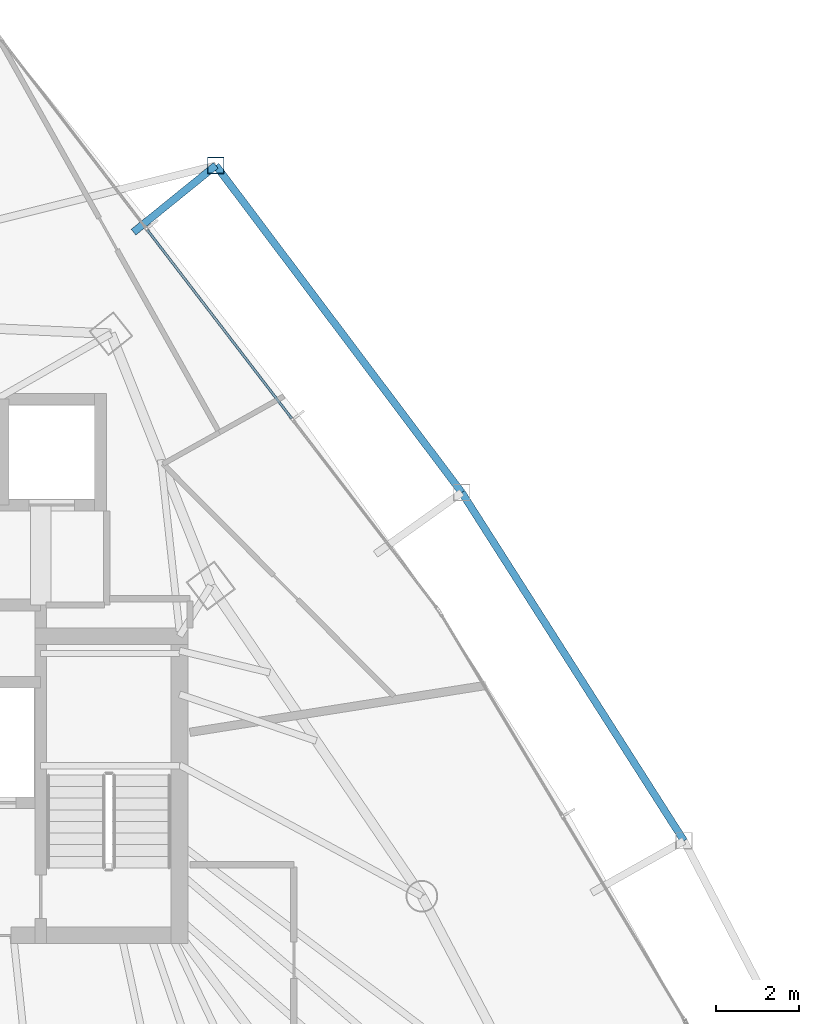
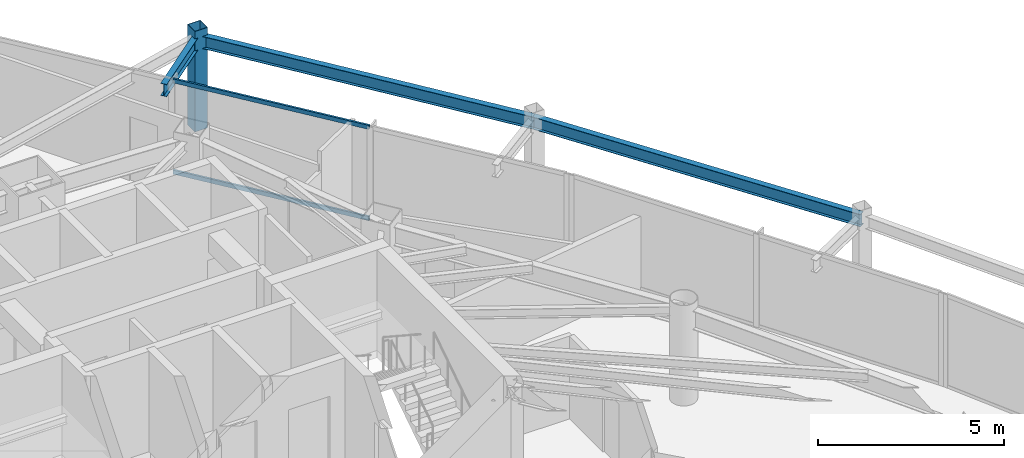
# One storey, part 26 of 33: 3 beams, 3 members, 1 element without a shape of its own.
"""IFC4 building model written with IfcOpenShell, lengths in metres."""

from ifc_helpers import new_model, si_unit, direction, frame, origin, origin_2d, place, context, subcontext, project, spatial, hollow_rectangle, i_section, extrude, material, layer, layer_set, material_profile, profile_set, type_object, element, aggregate, save


model = new_model("IFC4")

# Units and contexts
model_context = context("Model", 3, precision=1e-05, world=origin(), true_north=direction((0.0, 1.0)))
body_context = subcontext(model_context, "Body", "Model", "MODEL_VIEW")
ifc_project = project(units=[si_unit("LENGTHUNIT", "METRE"), si_unit("AREAUNIT", "SQUARE_METRE"), si_unit("VOLUMEUNIT", "CUBIC_METRE"), si_unit("PLANEANGLEUNIT", "RADIAN"), si_unit("MASSUNIT", "GRAM", prefix="KILO")], contexts=[model_context])

# Site, building, storey
site_placement = place(None, origin())
site = spatial("IfcSite", under=ifc_project, at=site_placement, CompositionType="ELEMENT")
building_placement = place(site_placement, origin())
building = spatial("IfcBuilding", under=site, at=building_placement, Name="Orvanel Arch Residences", CompositionType="ELEMENT")
storey_placement = place(building_placement, frame((0.0, 0.0, 116.60009765625)))
storey = spatial("IfcBuildingStorey", under=building, at=storey_placement, Name="L32", CompositionType="ELEMENT", Elevation=116.60009765625)

# Beams
ifc_material_1 = material(Name="Structural steel AS/NZS 3679.1 Grade 300 (300 MPa)", Category="steel")
ifc_material_profile_1 = material_profile(ifc_material_1, i_section(OverallWidth=0.177978515625, OverallDepth=0.406005859375, WebThickness=0.0078125, FlangeThickness=0.0126953125, at=origin_2d()), Name="410UB59.7")
ifc_profile_set_1 = profile_set([ifc_material_profile_1], Name="Structural steel AS/NZS 3679.1 Grade 300 (300 MPa)")
beam_type = type_object("IfcBeamType", Name="OB-410UB-EXT", PredefinedType="SPANDREL", material=ifc_profile_set_1)
beam_1_placement = place(storey_placement, frame((51.739990234375, 28.972900390625, 2.85693359375), z_axis=(-0.53782201313, 0.843058409716, 0.0), x_axis=(-0.843058409716, -0.53782201313, 0.0)))
element("IfcBeam", 1, at=beam_1_placement, inside=storey, type_object=beam_type, Name="L32 Outer Perimeter Floor Ring Beam 10", PredefinedType="SPANDREL", context=body_context, shape_type="SweptSolid", body=[
    extrude(i_section(OverallWidth=0.177978515625, OverallDepth=0.406005859375, WebThickness=0.0078125, FlangeThickness=0.0126953125, at=origin_2d()), origin(), (0.0, 0.0, 1.0), 9.943603515625),
])
beam_2_placement = place(storey_placement, frame((46.39208984375, 37.35595703125, 2.85693359375), z_axis=(-0.600999213408, 0.799249614002, 0.0), x_axis=(-0.799249614002, -0.600999213408, 0.0)))
element("IfcBeam", 2, at=beam_2_placement, inside=storey, type_object=beam_type, Name="L32 Outer Perimeter Floor Ring Beam 11", PredefinedType="SPANDREL", context=body_context, shape_type="SweptSolid", body=[
    extrude(i_section(OverallWidth=0.177978515625, OverallDepth=0.406005859375, WebThickness=0.0078125, FlangeThickness=0.0126953125, at=origin_2d()), origin(), (0.0, 0.0, 1.0), 9.846923828125),
])
beam_3_placement = place(storey_placement, frame((38.492919921875, 43.62109375, 2.85693359375), z_axis=(0.777024069571, 0.629470885195, 0.0), x_axis=(-0.629470885195, 0.777024069571, 0.0)))
element("IfcBeam", 3, at=beam_3_placement, inside=storey, type_object=beam_type, Name="L32 Outer Frame Radial Tie Beam 12", PredefinedType="SPANDREL", context=body_context, shape_type="SweptSolid", body=[
    extrude(i_section(OverallWidth=0.177978515625, OverallDepth=0.406005859375, WebThickness=0.0078125, FlangeThickness=0.0126953125, at=origin_2d()), origin(), (0.0, 0.0, 1.0), 2.5498046875),
])

# Member
ifc_material_2 = material(Name="Structural steel AS/NZS 1163 C450L0 (Grade 450)", Category="steel")
ifc_material_profile_2 = material_profile(ifc_material_2, hollow_rectangle(XDim=0.39990234375, YDim=0.39990234375, WallThickness=0.01611328125, at=origin_2d()), Name="SHS400x400x16")
ifc_profile_set_2 = profile_set([ifc_material_profile_2], Name="Structural steel AS/NZS 1163 C450L0 (Grade 450)")
member_type_1 = type_object("IfcMemberType", Name="ST-400SHS-EXT", PredefinedType="STRUT", material=ifc_profile_set_2)
member_1_placement = place(storey_placement, frame((40.47412109375, 45.22607421875, 0.0), z_axis=(0.0, 0.0, 1.0), x_axis=(1.0, 0.0, 0.0)))
element("IfcMember", 4, at=member_1_placement, inside=storey, type_object=member_type_1, Name="L32 Outer Perimeter Frame Post 12", PredefinedType="STRUT", context=body_context, shape_type="SweptSolid", body=[
    extrude(hollow_rectangle(XDim=0.39990234375, YDim=0.39990234375, WallThickness=0.01611328125, at=origin_2d()), origin(), (0.0, 0.0, 1.0), 3.2998046875),
])

# Curtain wall, members
ifc_material_3 = material(Name="Bronze-anodised aluminium AA6063-T6", Category="aluminium")
ifc_layer = layer(ifc_material_3, 0.179931640625)
ifc_layer_set = layer_set([ifc_layer], Name="Bronze-anodised aluminium AA6063-T6")
curtain_wall_type = type_object("IfcCurtainWallType", Name="CW3-MID-SYS", PredefinedType="NOTDEFINED", material=ifc_layer_set)
curtain_wall_placement = place(storey_placement, origin())
curtain_wall = element("IfcCurtainWall", 5, at=curtain_wall_placement, inside=storey, type_object=curtain_wall_type, Name="L32 CW3-MID-SYS Unitised Curtain Wall", PredefinedType="NOTDEFINED")
ifc_material_profile_3 = material_profile(ifc_material_3, hollow_rectangle(XDim=0.06005859375, YDim=0.135009765625, WallThickness=0.00390625, at=origin_2d()), Name="ALU135x60x4")
ifc_profile_set_3 = profile_set([ifc_material_profile_3], Name="Bronze-anodised aluminium AA6063-T6")
member_type_2 = type_object("IfcMemberType", Name="TRN-135x60", PredefinedType="USERDEFINED", material=ifc_profile_set_3)
member_2_placement = place(storey_placement, frame((42.299072265625, 39.13818359375, 0.02978515625), z_axis=(-0.608103229723, 0.793857960848, 0.0), x_axis=(-0.793857960848, -0.608103229723, 0.0)))
member_2 = element("IfcMember", 6, at=member_2_placement, type_object=member_type_2, Name="CW-S3 transom 2.1", ObjectType="TRANSOM", PredefinedType="USERDEFINED", context=body_context, shape_type="SweptSolid", body=[
    extrude(hollow_rectangle(XDim=0.06005859375, YDim=0.135009765625, WallThickness=0.00390625, at=origin_2d()), origin(), (0.0, 0.0, 1.0), 5.714599609375),
])
member_3_placement = place(storey_placement, frame((42.299072265625, 39.13818359375, 3.02978515625), z_axis=(-0.608103229723, 0.793857960848, 0.0), x_axis=(-0.793857960848, -0.608103229723, 0.0)))
member_3 = element("IfcMember", 7, at=member_3_placement, type_object=member_type_2, Name="CW-S3 transom 2.2", ObjectType="TRANSOM", PredefinedType="USERDEFINED", context=body_context, shape_type="SweptSolid", body=[
    extrude(hollow_rectangle(XDim=0.06005859375, YDim=0.135009765625, WallThickness=0.00390625, at=origin_2d()), origin(), (0.0, 0.0, 1.0), 5.714599609375),
])
aggregate(curtain_wall, [member_2, member_3])

save(model, "model.ifc")
